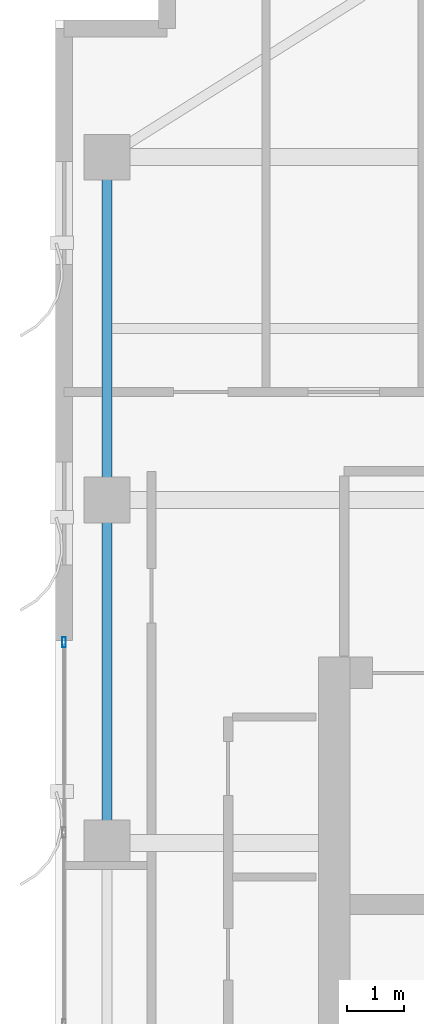
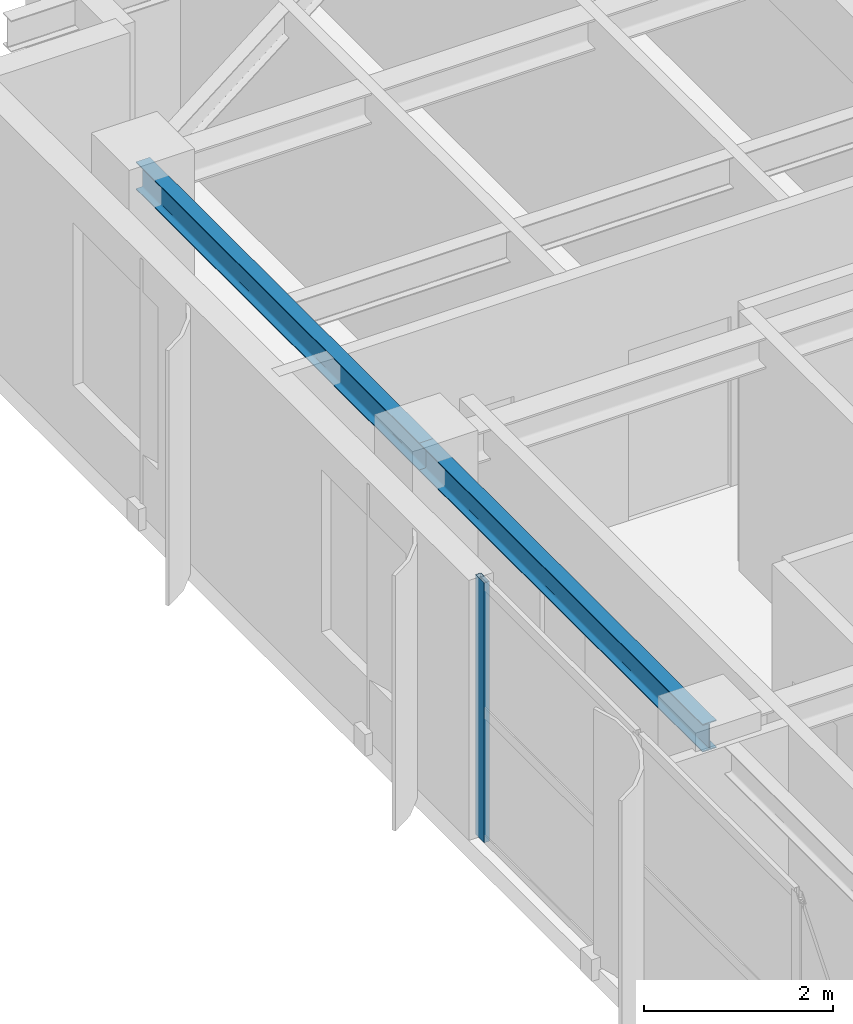
# One storey, part 8 of 22: 2 beams, 1 member, 1 element without a shape of its own.
"""IFC4 building model written with IfcOpenShell, lengths in metres."""

from ifc_helpers import new_model, si_unit, direction, frame, origin, origin_2d, place, context, subcontext, project, spatial, hollow_rectangle, i_section, extrude, source, transform, mapped, material, layer, layer_set, material_profile, profile_set, type_object, element, aggregate, save


model = new_model("IFC4")

# Units and contexts
model_context = context("Model", 3, precision=1e-05, world=origin(), true_north=direction((0.0, 1.0)))
body_context = subcontext(model_context, "Body", "Model", "MODEL_VIEW")
ifc_project = project(units=[si_unit("LENGTHUNIT", "METRE"), si_unit("AREAUNIT", "SQUARE_METRE"), si_unit("VOLUMEUNIT", "CUBIC_METRE"), si_unit("PLANEANGLEUNIT", "RADIAN"), si_unit("MASSUNIT", "GRAM", prefix="KILO")], contexts=[model_context])

# Site, building, storey
site_placement = place(None, origin())
site = spatial("IfcSite", under=ifc_project, at=site_placement, CompositionType="ELEMENT")
building_placement = place(site_placement, origin())
building = spatial("IfcBuilding", under=site, at=building_placement, Name="Khoralis Quay Care Tower", CompositionType="ELEMENT")
storey_placement = place(building_placement, frame((0.0, 0.0, 256.5)))
storey = spatial("IfcBuildingStorey", under=building, at=storey_placement, Name="L67", CompositionType="ELEMENT", Elevation=256.5)

# Beams
ifc_material_1 = material(Name="Steel S355", Category="steel")
ifc_material_profile_1 = material_profile(ifc_material_1, i_section(OverallWidth=0.169921875, OverallDepth=0.360107421875, WebThickness=0.008056640625, FlangeThickness=0.0126953125, FilletRadius=0.01806640625, at=origin_2d()), Name="Steel S355")
ifc_profile_set_1 = profile_set([ifc_material_profile_1], Name="Steel S355")
beam_type = type_object("IfcBeamType", Name="BM-IPE360", PredefinedType="SPANDREL", material=ifc_profile_set_1)
shared_shape_1 = source(origin(), body_context, "Body", "SweptSolid", [
    extrude(i_section(OverallWidth=0.169921875, OverallDepth=0.360107421875, WebThickness=0.008056640625, FlangeThickness=0.0126953125, FilletRadius=0.01806640625, at=origin_2d()), origin(), (0.0, 0.0, 1.0), 6.0),
])
for number, where, z_axis, x_axis, name in (
    (1, (3.89990234375, 24.0, 3.179931640625), (0.0, 1.0, 0.0), (-1.0, 0.0, 0.0), "BM-TSP-L67-07"),
    (2, (3.89990234375, 30.0, 3.179931640625), (0.0, 1.0, 0.0), (-1.0, 0.0, 0.0), "BM-TSP-L67-08"),
):
    element("IfcBeam", number, at=place(storey_placement, frame(where, z_axis=z_axis, x_axis=x_axis)), inside=storey, type_object=beam_type, Name=name, PredefinedType="SPANDREL", context=body_context, shape_type="MappedRepresentation", body=[
        mapped(shared_shape_1, transform((0.0, 0.0, 0.0), scale=1.0)),
    ])

# Curtain wall, member
ifc_material_2 = material(Name="Pale anodised aluminium", Category="aluminium")
ifc_layer = layer(ifc_material_2, 0.159912109375)
ifc_layer_set = layer_set([ifc_layer], Name="Pale anodised aluminium")
curtain_wall_type = type_object("IfcCurtainWallType", Name="CW-SYS-Z3", PredefinedType="NOTDEFINED", material=ifc_layer_set)
curtain_wall_placement = place(storey_placement, origin())
curtain_wall = element("IfcCurtainWall", 3, at=curtain_wall_placement, inside=storey, type_object=curtain_wall_type, Name="L67 Unitised Curtain Wall CW-L67-P1-E7", PredefinedType="NOTDEFINED")
ifc_material_profile_2 = material_profile(ifc_material_2, hollow_rectangle(XDim=0.06494140625, YDim=0.179931640625, WallThickness=0.00390625, at=origin_2d()), Name="Pale anodised aluminium")
ifc_profile_set_2 = profile_set([ifc_material_profile_2], Name="Pale anodised aluminium")
member_type = type_object("IfcMemberType", Name="CW-MUL-180", PredefinedType="MULLION", material=ifc_profile_set_2)
shared_shape_2 = source(origin(), body_context, "Body", "SweptSolid", [
    extrude(hollow_rectangle(XDim=0.06494140625, YDim=0.179931640625, WallThickness=0.00390625, at=origin_2d()), origin(), (0.0, 0.0, 1.0), 3.360107421875),
])
member_placement = place(storey_placement, frame((3.14990234375, 27.510009765625, 0.0), z_axis=(0.0, 0.0, 1.0), x_axis=(1.0, 0.0, 0.0)))
member = element("IfcMember", 4, at=member_placement, type_object=member_type, Name="CW3 mullion 1", PredefinedType="MULLION", context=body_context, shape_type="MappedRepresentation", body=[
    mapped(shared_shape_2, transform((0.0, 0.0, 0.0), scale=1.0)),
])
aggregate(curtain_wall, [member])

save(model, "model.ifc")
